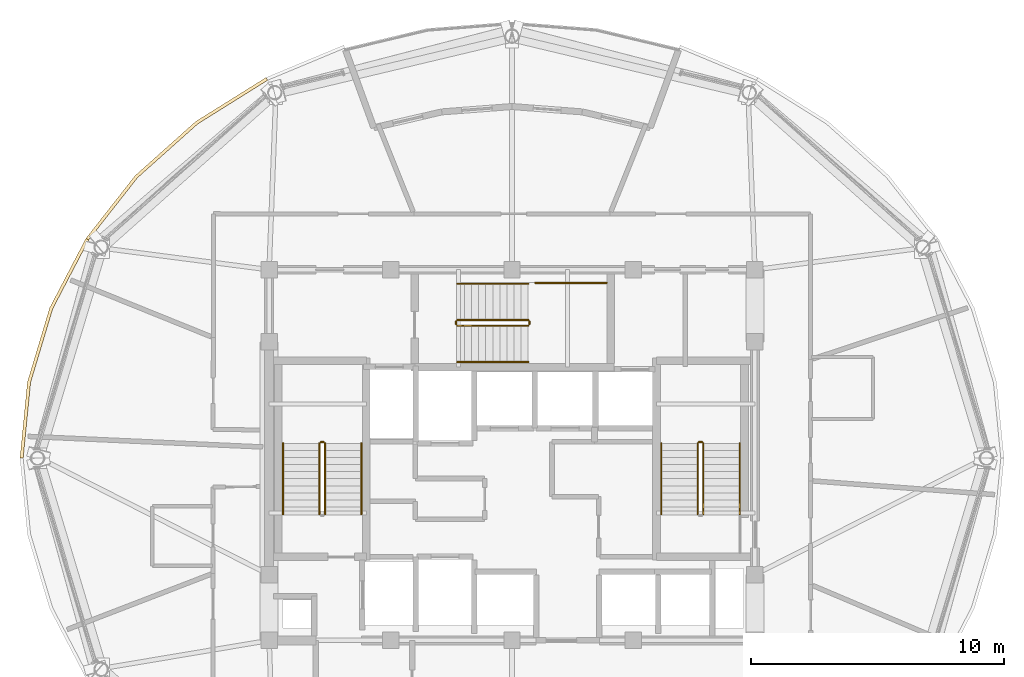
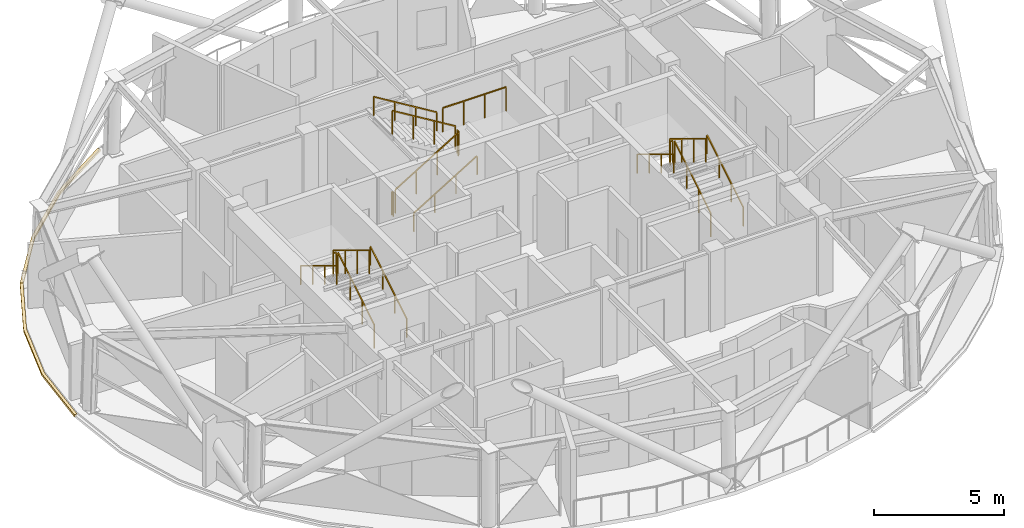
# One storey, part 12 of 13: 17 railings, 2 coverings.
"""IFC4 building model written with IfcOpenShell, lengths in metres."""

import ifcopenshell
import ifcopenshell.guid

model = None  # the IFC model being written
_history = None  # IfcOwnerHistory: only IFC2X3 demands one
_inside = {}  # id of a spatial element -> (the spatial element, [elements in it])
_under = {}  # id of a project, library or spatial element -> (it, [spatial elements below it])
_declared = {}  # id of a project -> (the project, [libraries it declares])
_typed = {}  # id of a type object -> (the type object, [elements of that type])
_made_of = {}  # id of a material, layer set ... -> (it, [elements and type objects made of it])


def new_model(schema):
    """Start an empty IFC model of exactly this schema.

    Asked for "IFC4X3", IfcOpenShell would pick the latest addendum, in which some entities
    have other attributes; the version numbers below select the first issue.
    IFC2X3 requires an IfcOwnerHistory on every rooted entity: one is made here for all.
    """
    global model, _history
    if schema == "IFC4X3":
        model = ifcopenshell.file(schema_version=(4, 3, 0, 0))
    else:
        model = ifcopenshell.file(schema=schema)
    _inside.clear()
    _under.clear()
    _declared.clear()
    _typed.clear()
    _made_of.clear()
    _history = None
    if model.schema == "IFC2X3":
        org = make("IfcOrganization", Name="unknown")
        user = make(
            "IfcPersonAndOrganization",
            ThePerson=make("IfcPerson", FamilyName="unknown"),
            TheOrganization=org,
        )
        app = make(
            "IfcApplication",
            ApplicationDeveloper=org,
            Version="unknown",
            ApplicationFullName="unknown",
            ApplicationIdentifier="unknown",
        )
        _history = make(
            "IfcOwnerHistory",
            OwningUser=user,
            OwningApplication=app,
            ChangeAction="ADDED",
            CreationDate=0,
        )
    return model


def make(cls, **values):
    """One entity of the class cls with the attributes given. An attribute that is None is left unset."""
    return model.create_entity(
        cls, **{name: value for name, value in values.items() if value is not None}
    )


def rooted(cls, **values):
    """An entity with a GlobalId (a new one), such as an element, a storey or a relation."""
    return make(cls, GlobalId=ifcopenshell.guid.new(), OwnerHistory=_history, **values)


def si_unit(unit_type, name, prefix=None):
    """IfcSIUnit, for example si_unit("LENGTHUNIT", "METRE", prefix="MILLI")."""
    return make("IfcSIUnit", UnitType=unit_type, Prefix=prefix, Name=name)


def assignment(units):
    """IfcUnitAssignment: the units of a project."""
    return None if units is None else make("IfcUnitAssignment", Units=units)


def point(xyz):
    """IfcCartesianPoint."""
    return None if xyz is None else make("IfcCartesianPoint", Coordinates=xyz)


def direction(xyz):
    """IfcDirection."""
    return None if xyz is None else make("IfcDirection", DirectionRatios=xyz)


def frame(location, z_axis=None, x_axis=None):
    """IfcAxis2Placement3D, a coordinate frame: its origin and axes. An axis left out is left unset."""
    return make(
        "IfcAxis2Placement3D",
        Location=point(location),
        Axis=direction(z_axis),
        RefDirection=direction(x_axis),
    )


def frame_2d(location, x_axis=None):
    """IfcAxis2Placement2D, a coordinate frame in the plane: its origin and x axis."""
    return make(
        "IfcAxis2Placement2D", Location=point(location), RefDirection=direction(x_axis)
    )


def origin():
    """The frame at (0, 0, 0) with its axes left unset."""
    return frame((0.0, 0.0, 0.0))


def origin_2d():
    """The frame at (0, 0) in the plane with its x axis left unset."""
    return frame_2d((0.0, 0.0))


def place(relative_to, where):
    """IfcLocalPlacement: puts the frame where relative to a parent placement (None: the world)."""
    return make(
        "IfcLocalPlacement", PlacementRelTo=relative_to, RelativePlacement=where
    )


def context(
    kind, dimensions, precision=None, world=None, true_north=None, identifier=None
):
    """IfcGeometricRepresentationContext, for example the 3D "Model" context."""
    return make(
        "IfcGeometricRepresentationContext",
        ContextIdentifier=identifier,
        ContextType=kind,
        CoordinateSpaceDimension=dimensions,
        Precision=precision,
        WorldCoordinateSystem=world,
        TrueNorth=true_north,
    )


def subcontext(parent, identifier, kind, view, scale=None):
    """IfcGeometricRepresentationSubContext, for example "Body" below "Model"."""
    return make(
        "IfcGeometricRepresentationSubContext",
        ContextIdentifier=identifier,
        ContextType=kind,
        ParentContext=parent,
        TargetScale=scale,
        TargetView=view,
    )


def project(units=None, contexts=None):
    """IfcProject with its units and contexts."""
    return rooted(
        "IfcProject",
        Name="project",
        RepresentationContexts=contexts,
        UnitsInContext=assignment(units),
    )


def spatial(cls, under=None, at=None, **own):
    """A site, building, storey or space (cls), placed at a placement, below another one or the project."""
    s = rooted(cls, ObjectPlacement=at, **own)
    if under is not None:
        _under.setdefault(under.id(), (under, []))[1].append(s)
    return s


def polyline(points):
    """IfcPolyline through the points."""
    return make("IfcPolyline", Points=[point(p) for p in points])


def profile(cls, at=None, kind="AREA", **sizes):
    """A parametric profile (cls). Its sizes go by their IFC names, for example OverallWidth=200.0."""
    return make(cls, ProfileType=kind, Position=at, **sizes)


def rectangle(**sizes):
    """IfcRectangleProfileDef."""
    return profile("IfcRectangleProfileDef", **sizes)


def outline(outer, holes=None, kind="AREA"):
    """IfcArbitraryClosedProfileDef: a profile drawn as a closed curve; with holes, ...WithVoids."""
    if holes is None:
        return make("IfcArbitraryClosedProfileDef", ProfileType=kind, OuterCurve=outer)
    return make(
        "IfcArbitraryProfileDefWithVoids",
        ProfileType=kind,
        OuterCurve=outer,
        InnerCurves=holes,
    )


def extrude(swept, where, along, depth):
    """IfcExtrudedAreaSolid: the profile swept, set in the frame where, extruded along a direction by depth."""
    return make(
        "IfcExtrudedAreaSolid",
        SweptArea=swept,
        Position=where,
        ExtrudedDirection=direction(along),
        Depth=depth,
    )


def shape(context_of_items, identifier, shape_type, items):
    """IfcShapeRepresentation: the items that make up one representation, for example the "Body"."""
    return make(
        "IfcShapeRepresentation",
        ContextOfItems=context_of_items,
        RepresentationIdentifier=identifier,
        RepresentationType=shape_type,
        Items=items,
    )


def material(Name=None, Category=None):
    """IfcMaterial."""
    return make("IfcMaterial", Name=Name, Category=Category)


def layer(
    of_material, thickness, ventilated=None, Name=None, Category=None, Priority=None
):
    """IfcMaterialLayer: one layer of a wall or slab, of a material (None: an air gap)."""
    return make(
        "IfcMaterialLayer",
        Material=of_material,
        LayerThickness=thickness,
        IsVentilated=ventilated,
        Name=Name,
        Category=Category,
        Priority=Priority,
    )


def layer_set(layers, Name=None):
    """IfcMaterialLayerSet."""
    return make("IfcMaterialLayerSet", MaterialLayers=layers, LayerSetName=Name)


def made_of(thing, what):
    """Note that an element or type object is made of a material, layer set ...; save() writes the relation."""
    if what is not None:
        _made_of.setdefault(what.id(), (what, []))[1].append(thing)
    return thing


def type_object(cls, material=None, **own):
    """A type object (cls), such as IfcWallType, which elements share."""
    return made_of(rooted(cls, **own), material)


def element(
    cls,
    number,
    at=None,
    inside=None,
    cuts=None,
    type_object=None,
    material=None,
    context=None,
    identifier="Body",
    shape_type=None,
    held_by="IfcProductDefinitionShape",
    body=None,
    shapes=None,
    **own,
):
    """One element of the class cls, such as IfcWall. Its Tag is "e" and its number.

    at: its placement. inside: the storey or other place that contains it. cuts: it is an
    opening in that element (IfcRelVoidsElement). A single representation is given by context,
    identifier, shape_type and body (its items); several are given by shapes. held_by: the class
    of the entity that holds the representations. save() writes the other relations.
    """
    e = rooted(cls, Tag="e%d" % number, ObjectPlacement=at, **own)
    if body is not None:
        shapes = [shape(context, identifier, shape_type, body)]
    if shapes is not None:
        e.Representation = make(held_by, Representations=shapes)
    if inside is not None:
        _inside.setdefault(inside.id(), (inside, []))[1].append(e)
    if cuts is not None:
        rooted(
            "IfcRelVoidsElement", RelatingBuildingElement=cuts, RelatedOpeningElement=e
        )
    if type_object is not None:
        _typed.setdefault(type_object.id(), (type_object, []))[1].append(e)
    return made_of(e, material)


def aggregate(whole, parts):
    """IfcRelAggregates: a whole, such as a stair, and the parts it consists of."""
    return rooted("IfcRelAggregates", RelatingObject=whole, RelatedObjects=parts)


def save(model, path):
    """Write the relations noted so far, then the file.

    IfcRelAggregates (storeys below a building ...), IfcRelContainedInSpatialStructure (elements
    in a storey), IfcRelDefinesByType, IfcRelAssociatesMaterial and IfcRelDeclares: one each for
    every whole, place, type object, material and project.
    """
    for whole, parts in _under.values():
        aggregate(whole, parts)
    for where, things in _inside.values():
        rooted(
            "IfcRelContainedInSpatialStructure",
            RelatedElements=things,
            RelatingStructure=where,
        )
    for kind, things in _typed.values():
        rooted("IfcRelDefinesByType", RelatedObjects=things, RelatingType=kind)
    for what, things in _made_of.values():
        rooted("IfcRelAssociatesMaterial", RelatedObjects=things, RelatingMaterial=what)
    for by, libraries in _declared.values():
        rooted("IfcRelDeclares", RelatingContext=by, RelatedDefinitions=libraries)
    model.write(path)


model = new_model("IFC4")

# Units and contexts
model_context = context("Model", 3, precision=1e-05, world=origin(), true_north=direction((0.0, 1.0)))
body_context = subcontext(model_context, "Body", "Model", "MODEL_VIEW")
ifc_project = project(units=[si_unit("LENGTHUNIT", "METRE"), si_unit("AREAUNIT", "SQUARE_METRE"), si_unit("VOLUMEUNIT", "CUBIC_METRE"), si_unit("PLANEANGLEUNIT", "RADIAN"), si_unit("MASSUNIT", "GRAM", prefix="KILO")], contexts=[model_context])

# Site, building, storey
site_placement = place(None, origin())
site = spatial("IfcSite", under=ifc_project, at=site_placement, CompositionType="ELEMENT")
building_placement = place(site_placement, origin())
building = spatial("IfcBuilding", under=site, at=building_placement, Name="Vantalir Tower", CompositionType="ELEMENT")
storey_placement = place(building_placement, frame((0.0, 0.0, 282.60009765625)))
storey = spatial("IfcBuildingStorey", under=building, at=storey_placement, Name="L71", CompositionType="ELEMENT", Elevation=282.60009765625)

# Coverings
ifc_material_1 = material(Name="Anodised champagne aluminium sill fascia", Category="aluminium")
ifc_layer = layer(ifc_material_1, 0.125)
ifc_layer_set = layer_set([ifc_layer], Name="Anodised champagne aluminium sill fascia")
covering_type = type_object("IfcCoveringType", Name="COV-SLAB-FASCIA-125", PredefinedType="CLADDING", material=ifc_layer_set)
covering_1_placement = place(storey_placement, frame((0.0, 0.0, -0.18017578125)))
element("IfcCovering", 1, at=covering_1_placement, inside=storey, type_object=covering_type, Name="L71 Perimeter Slab-Edge Sill Fascia 05", PredefinedType="CLADDING", context=body_context, shape_type="SweptSolid", body=[
    extrude(outline(polyline([(21.778076171875, 40.047119140625), (19.0009765625, 38.31005859375), (16.60400390625, 36.16796875), (14.659912109375, 33.68701171875), (14.76806640625, 33.625), (16.699951171875, 36.087890625), (19.0810546875, 38.214111328125), (21.840087890625, 39.93896484375), (21.778076171875, 40.047119140625)])), origin(), (0.0, 0.0, 1.0), 0.10498046875),
])
covering_2_placement = place(storey_placement, frame((0.0, 0.0, -0.18017578125)))
element("IfcCovering", 2, at=covering_2_placement, inside=storey, type_object=covering_type, Name="L71 Perimeter Slab-Edge Sill Fascia 06", PredefinedType="CLADDING", context=body_context, shape_type="SweptSolid", body=[
    extrude(outline(polyline([(14.659912109375, 33.68701171875), (13.22802734375, 30.943115234375), (12.35009765625, 28.01708984375), (12.054931640625, 25.0), (12.179931640625, 25.0), (12.47412109375, 27.9951171875), (13.344970703125, 30.89990234375), (14.76806640625, 33.625), (14.659912109375, 33.68701171875)])), origin(), (0.0, 0.0, 1.0), 0.10498046875),
])

# Railings
ifc_material_2 = material(Name="Anodised aluminium and stainless steel guard", Category="steel")
railing_type_1 = type_object("IfcRailingType", Name="RAL-GUARD-1120", PredefinedType="GUARDRAIL", material=ifc_material_2)
railing_1_placement = place(storey_placement, frame((24.110107421875, 22.7900390625, 0.17041015625)))
element("IfcRailing", 3, at=railing_1_placement, inside=storey, type_object=railing_type_1, Name="L71 ST1 stair guard 1", PredefinedType="GUARDRAIL", context=body_context, shape_type="SweptSolid", body=[
    extrude(rectangle(XDim=0.048095703125, YDim=0.048095703125, at=origin_2d()), frame((0.0, 0.0, 1.09619140625), z_axis=(0.0, 0.854169791009, 0.51999420009), x_axis=(-1.0, 0.0, 0.0)), (0.0, 0.0, 1.0), 3.278076171875),
    extrude(rectangle(XDim=0.0419921875, YDim=0.0419921875, at=origin_2d()), origin(), (0.0, 0.0, 1.0), 1.072021484375),
    extrude(rectangle(XDim=0.0419921875, YDim=0.0419921875, at=origin_2d()), frame((0.0, 0.933349609375, 0.568115234375)), (0.0, 0.0, 1.0), 1.072021484375),
    extrude(rectangle(XDim=0.0419921875, YDim=0.0419921875, at=origin_2d()), frame((0.0, 1.86669921875, 1.136474609375)), (0.0, 0.0, 1.0), 1.072021484375),
    extrude(rectangle(XDim=0.0419921875, YDim=0.0419921875, at=origin_2d()), frame((0.0, 2.800048828125, 1.70458984375)), (0.0, 0.0, 1.0), 1.072021484375),
])
railing_2_placement = place(storey_placement, frame((24.06005859375, 25.639892578125, 1.875)))
element("IfcRailing", 4, at=railing_2_placement, inside=storey, type_object=railing_type_1, Name="L71 ST1 stair guard 2", PredefinedType="GUARDRAIL", context=body_context, shape_type="SweptSolid", body=[
    extrude(rectangle(XDim=0.048095703125, YDim=0.048095703125, at=origin_2d()), frame((0.0, 0.0, 1.09619140625), z_axis=(-1.0, 0.0, 0.0), x_axis=(0.0, -1.0, 0.0)), (0.0, 0.0, 1.0), 0.1201171875),
    extrude(rectangle(XDim=0.0419921875, YDim=0.0419921875, at=origin_2d()), origin(), (0.0, 0.0, 1.0), 1.072021484375),
    extrude(rectangle(XDim=0.0419921875, YDim=0.0419921875, at=origin_2d()), frame((-0.1201171875, 0.0, 0.0)), (0.0, 0.0, 1.0), 1.072021484375),
])
railing_3_placement = place(storey_placement, frame((23.889892578125, 25.590087890625, 2.04541015625)))
element("IfcRailing", 5, at=railing_3_placement, inside=storey, type_object=railing_type_1, Name="L71 ST1 stair guard 3", PredefinedType="GUARDRAIL", context=body_context, shape_type="SweptSolid", body=[
    extrude(rectangle(XDim=0.048095703125, YDim=0.048095703125, at=origin_2d()), frame((0.0, 0.0, 1.09619140625), z_axis=(0.0, -0.854169791009, 0.51999420009), x_axis=(1.0, 0.0, 0.0)), (0.0, 0.0, 1.0), 3.278076171875),
    extrude(rectangle(XDim=0.0419921875, YDim=0.0419921875, at=origin_2d()), origin(), (0.0, 0.0, 1.0), 1.072021484375),
    extrude(rectangle(XDim=0.0419921875, YDim=0.0419921875, at=origin_2d()), frame((0.0, -0.933349609375, 0.568115234375)), (0.0, 0.0, 1.0), 1.072021484375),
    extrude(rectangle(XDim=0.0419921875, YDim=0.0419921875, at=origin_2d()), frame((0.0, -1.86669921875, 1.136474609375)), (0.0, 0.0, 1.0), 1.072021484375),
    extrude(rectangle(XDim=0.0419921875, YDim=0.0419921875, at=origin_2d()), frame((0.0, -2.800048828125, 1.70458984375)), (0.0, 0.0, 1.0), 1.072021484375),
])
railing_4_placement = place(storey_placement, frame((39.06005859375, 22.7900390625, 0.17041015625)))
element("IfcRailing", 6, at=railing_4_placement, inside=storey, type_object=railing_type_1, Name="L71 ST2 stair guard 1", PredefinedType="GUARDRAIL", context=body_context, shape_type="SweptSolid", body=[
    extrude(rectangle(XDim=0.048095703125, YDim=0.048095703125, at=origin_2d()), frame((0.0, 0.0, 1.09619140625), z_axis=(0.0, 0.854169791009, 0.51999420009), x_axis=(-1.0, 0.0, 0.0)), (0.0, 0.0, 1.0), 3.278076171875),
    extrude(rectangle(XDim=0.0419921875, YDim=0.0419921875, at=origin_2d()), origin(), (0.0, 0.0, 1.0), 1.072021484375),
    extrude(rectangle(XDim=0.0419921875, YDim=0.0419921875, at=origin_2d()), frame((0.0, 0.933349609375, 0.568115234375)), (0.0, 0.0, 1.0), 1.072021484375),
    extrude(rectangle(XDim=0.0419921875, YDim=0.0419921875, at=origin_2d()), frame((0.0, 1.86669921875, 1.136474609375)), (0.0, 0.0, 1.0), 1.072021484375),
    extrude(rectangle(XDim=0.0419921875, YDim=0.0419921875, at=origin_2d()), frame((0.0, 2.800048828125, 1.70458984375)), (0.0, 0.0, 1.0), 1.072021484375),
])
railing_5_placement = place(storey_placement, frame((39.010009765625, 25.639892578125, 1.875)))
element("IfcRailing", 7, at=railing_5_placement, inside=storey, type_object=railing_type_1, Name="L71 ST2 stair guard 2", PredefinedType="GUARDRAIL", context=body_context, shape_type="SweptSolid", body=[
    extrude(rectangle(XDim=0.048095703125, YDim=0.048095703125, at=origin_2d()), frame((0.0, 0.0, 1.09619140625), z_axis=(-1.0, 0.0, 0.0), x_axis=(0.0, -1.0, 0.0)), (0.0, 0.0, 1.0), 0.1201171875),
    extrude(rectangle(XDim=0.0419921875, YDim=0.0419921875, at=origin_2d()), origin(), (0.0, 0.0, 1.0), 1.072021484375),
    extrude(rectangle(XDim=0.0419921875, YDim=0.0419921875, at=origin_2d()), frame((-0.1201171875, 0.0, 0.0)), (0.0, 0.0, 1.0), 1.072021484375),
])
railing_6_placement = place(storey_placement, frame((38.840087890625, 25.590087890625, 2.04541015625)))
element("IfcRailing", 8, at=railing_6_placement, inside=storey, type_object=railing_type_1, Name="L71 ST2 stair guard 3", PredefinedType="GUARDRAIL", context=body_context, shape_type="SweptSolid", body=[
    extrude(rectangle(XDim=0.048095703125, YDim=0.048095703125, at=origin_2d()), frame((0.0, 0.0, 1.09619140625), z_axis=(0.0, -0.854169791009, 0.51999420009), x_axis=(1.0, 0.0, 0.0)), (0.0, 0.0, 1.0), 3.278076171875),
    extrude(rectangle(XDim=0.0419921875, YDim=0.0419921875, at=origin_2d()), origin(), (0.0, 0.0, 1.0), 1.072021484375),
    extrude(rectangle(XDim=0.0419921875, YDim=0.0419921875, at=origin_2d()), frame((0.0, -0.933349609375, 0.568115234375)), (0.0, 0.0, 1.0), 1.072021484375),
    extrude(rectangle(XDim=0.0419921875, YDim=0.0419921875, at=origin_2d()), frame((0.0, -1.86669921875, 1.136474609375)), (0.0, 0.0, 1.0), 1.072021484375),
    extrude(rectangle(XDim=0.0419921875, YDim=0.0419921875, at=origin_2d()), frame((0.0, -2.800048828125, 1.70458984375)), (0.0, 0.0, 1.0), 1.072021484375),
])
railing_7_placement = place(storey_placement, frame((29.340087890625, 30.239990234375, 0.17041015625)))
element("IfcRailing", 9, at=railing_7_placement, inside=storey, type_object=railing_type_1, Name="L71 ST3 stair guard 1", PredefinedType="GUARDRAIL", context=body_context, shape_type="SweptSolid", body=[
    extrude(rectangle(XDim=0.048095703125, YDim=0.048095703125, at=origin_2d()), frame((0.0, 0.0, 1.09619140625), z_axis=(0.854149651119, 0.0, 0.520027281489), x_axis=(0.0, 1.0, 0.0)), (0.0, 0.0, 1.0), 3.27783203125),
    extrude(rectangle(XDim=0.0419921875, YDim=0.0419921875, at=origin_2d()), origin(), (0.0, 0.0, 1.0), 1.072021484375),
    extrude(rectangle(XDim=0.0419921875, YDim=0.0419921875, at=origin_2d()), frame((0.933349609375, 0.0, 0.568115234375)), (0.0, 0.0, 1.0), 1.072021484375),
    extrude(rectangle(XDim=0.0419921875, YDim=0.0419921875, at=origin_2d()), frame((1.866455078125, 0.0, 1.136474609375)), (0.0, 0.0, 1.0), 1.072021484375),
    extrude(rectangle(XDim=0.0419921875, YDim=0.0419921875, at=origin_2d()), frame((2.7998046875, 0.0, 1.70458984375)), (0.0, 0.0, 1.0), 1.072021484375),
])
railing_8_placement = place(storey_placement, frame((32.18994140625, 30.2900390625, 1.875)))
element("IfcRailing", 10, at=railing_8_placement, inside=storey, type_object=railing_type_1, Name="L71 ST3 stair guard 2", PredefinedType="GUARDRAIL", context=body_context, shape_type="SweptSolid", body=[
    extrude(rectangle(XDim=0.048095703125, YDim=0.048095703125, at=origin_2d()), frame((0.0, 0.0, 1.09619140625), z_axis=(0.0, 1.0, 0.0), x_axis=(-1.0, 0.0, 0.0)), (0.0, 0.0, 1.0), 0.119873046875),
    extrude(rectangle(XDim=0.0419921875, YDim=0.0419921875, at=origin_2d()), origin(), (0.0, 0.0, 1.0), 1.072021484375),
    extrude(rectangle(XDim=0.0419921875, YDim=0.0419921875, at=origin_2d()), frame((0.0, 0.119873046875, 0.0)), (0.0, 0.0, 1.0), 1.072021484375),
])
railing_9_placement = place(storey_placement, frame((32.139892578125, 30.4599609375, 2.04541015625)))
element("IfcRailing", 11, at=railing_9_placement, inside=storey, type_object=railing_type_1, Name="L71 ST3 stair guard 3", PredefinedType="GUARDRAIL", context=body_context, shape_type="SweptSolid", body=[
    extrude(rectangle(XDim=0.048095703125, YDim=0.048095703125, at=origin_2d()), frame((0.0, 0.0, 1.09619140625), z_axis=(-0.854149651119, 0.0, 0.520027281489), x_axis=(0.0, -1.0, 0.0)), (0.0, 0.0, 1.0), 3.27783203125),
    extrude(rectangle(XDim=0.0419921875, YDim=0.0419921875, at=origin_2d()), origin(), (0.0, 0.0, 1.0), 1.072021484375),
    extrude(rectangle(XDim=0.0419921875, YDim=0.0419921875, at=origin_2d()), frame((-0.933349609375, 0.0, 0.568115234375)), (0.0, 0.0, 1.0), 1.072021484375),
    extrude(rectangle(XDim=0.0419921875, YDim=0.0419921875, at=origin_2d()), frame((-1.866455078125, 0.0, 1.136474609375)), (0.0, 0.0, 1.0), 1.072021484375),
    extrude(rectangle(XDim=0.0419921875, YDim=0.0419921875, at=origin_2d()), frame((-2.7998046875, 0.0, 1.70458984375)), (0.0, 0.0, 1.0), 1.072021484375),
])
railing_10_placement = place(storey_placement, frame((29.2900390625, 30.2900390625, 0.0)))
element("IfcRailing", 12, at=railing_10_placement, inside=storey, type_object=railing_type_1, Name="L71 ST3 stair guard 4", PredefinedType="GUARDRAIL", context=body_context, shape_type="SweptSolid", body=[
    extrude(rectangle(XDim=0.048095703125, YDim=0.048095703125, at=origin_2d()), frame((0.0, 0.0, 1.09619140625), z_axis=(0.0, 1.0, 0.0), x_axis=(-1.0, 0.0, 0.0)), (0.0, 0.0, 1.0), 0.119873046875),
    extrude(rectangle(XDim=0.0419921875, YDim=0.0419921875, at=origin_2d()), origin(), (0.0, 0.0, 1.0), 1.072021484375),
    extrude(rectangle(XDim=0.0419921875, YDim=0.0419921875, at=origin_2d()), frame((0.0, 0.119873046875, 0.0)), (0.0, 0.0, 1.0), 1.072021484375),
])
railing_11_placement = place(storey_placement, frame((32.419921875, 31.929931640625, 1.875)))
element("IfcRailing", 13, at=railing_11_placement, inside=storey, type_object=railing_type_1, Name="L71 Stair ST3 Half-Landing Slot Guard", PredefinedType="GUARDRAIL", context=body_context, shape_type="SweptSolid", body=[
    extrude(rectangle(XDim=0.048095703125, YDim=0.048095703125, at=origin_2d()), frame((0.0, 0.0, 1.1259765625), z_axis=(1.0, 0.0, 0.0), x_axis=(0.0, 1.0, 0.0)), (0.0, 0.0, 1.0), 2.820068359375),
    extrude(rectangle(XDim=0.0419921875, YDim=0.0419921875, at=origin_2d()), origin(), (0.0, 0.0, 1.0), 1.101806640625),
    extrude(rectangle(XDim=0.0419921875, YDim=0.0419921875, at=origin_2d()), frame((0.93994140625, 0.0, 0.0)), (0.0, 0.0, 1.0), 1.101806640625),
    extrude(rectangle(XDim=0.0419921875, YDim=0.0419921875, at=origin_2d()), frame((1.880126953125, 0.0, 0.0)), (0.0, 0.0, 1.0), 1.101806640625),
    extrude(rectangle(XDim=0.0419921875, YDim=0.0419921875, at=origin_2d()), frame((2.820068359375, 0.0, 0.0)), (0.0, 0.0, 1.0), 1.101806640625),
])
ifc_material_3 = material(Name="Brushed stainless steel tubular handrail", Category="steel")
railing_type_2 = type_object("IfcRailingType", Name="RAL-HANDRAIL-900", PredefinedType="HANDRAIL", material=ifc_material_3)
railing_12_placement = place(storey_placement, frame((25.550048828125, 22.7900390625, 0.17041015625)))
element("IfcRailing", 14, at=railing_12_placement, inside=storey, type_object=railing_type_2, Name="L71 ST1 stair handrail 1", PredefinedType="HANDRAIL", context=body_context, shape_type="SweptSolid", body=[
    extrude(rectangle(XDim=0.048095703125, YDim=0.048095703125, at=origin_2d()), frame((0.0, 0.0, 0.8759765625), z_axis=(0.0, 0.854169791009, 0.51999420009), x_axis=(-1.0, 0.0, 0.0)), (0.0, 0.0, 1.0), 3.278076171875),
    extrude(rectangle(XDim=0.0419921875, YDim=0.0419921875, at=origin_2d()), origin(), (0.0, 0.0, 1.0), 0.851806640625),
    extrude(rectangle(XDim=0.0419921875, YDim=0.0419921875, at=origin_2d()), frame((0.0, 0.933349609375, 0.568115234375)), (0.0, 0.0, 1.0), 0.851806640625),
    extrude(rectangle(XDim=0.0419921875, YDim=0.0419921875, at=origin_2d()), frame((0.0, 1.86669921875, 1.136474609375)), (0.0, 0.0, 1.0), 0.851806640625),
    extrude(rectangle(XDim=0.0419921875, YDim=0.0419921875, at=origin_2d()), frame((0.0, 2.800048828125, 1.70458984375)), (0.0, 0.0, 1.0), 0.851806640625),
])
railing_13_placement = place(storey_placement, frame((22.449951171875, 25.590087890625, 2.04541015625)))
element("IfcRailing", 15, at=railing_13_placement, inside=storey, type_object=railing_type_2, Name="L71 ST1 stair handrail 2", PredefinedType="HANDRAIL", context=body_context, shape_type="SweptSolid", body=[
    extrude(rectangle(XDim=0.048095703125, YDim=0.048095703125, at=origin_2d()), frame((0.0, 0.0, 0.8759765625), z_axis=(0.0, -0.854169791009, 0.51999420009), x_axis=(1.0, 0.0, 0.0)), (0.0, 0.0, 1.0), 3.278076171875),
    extrude(rectangle(XDim=0.0419921875, YDim=0.0419921875, at=origin_2d()), origin(), (0.0, 0.0, 1.0), 0.851806640625),
    extrude(rectangle(XDim=0.0419921875, YDim=0.0419921875, at=origin_2d()), frame((0.0, -0.933349609375, 0.568115234375)), (0.0, 0.0, 1.0), 0.851806640625),
    extrude(rectangle(XDim=0.0419921875, YDim=0.0419921875, at=origin_2d()), frame((0.0, -1.86669921875, 1.136474609375)), (0.0, 0.0, 1.0), 0.851806640625),
    extrude(rectangle(XDim=0.0419921875, YDim=0.0419921875, at=origin_2d()), frame((0.0, -2.800048828125, 1.70458984375)), (0.0, 0.0, 1.0), 0.851806640625),
])
railing_14_placement = place(storey_placement, frame((40.5, 22.7900390625, 0.17041015625)))
element("IfcRailing", 16, at=railing_14_placement, inside=storey, type_object=railing_type_2, Name="L71 ST2 stair handrail 1", PredefinedType="HANDRAIL", context=body_context, shape_type="SweptSolid", body=[
    extrude(rectangle(XDim=0.048095703125, YDim=0.048095703125, at=origin_2d()), frame((0.0, 0.0, 0.8759765625), z_axis=(0.0, 0.854169791009, 0.51999420009), x_axis=(-1.0, 0.0, 0.0)), (0.0, 0.0, 1.0), 3.278076171875),
    extrude(rectangle(XDim=0.0419921875, YDim=0.0419921875, at=origin_2d()), origin(), (0.0, 0.0, 1.0), 0.851806640625),
    extrude(rectangle(XDim=0.0419921875, YDim=0.0419921875, at=origin_2d()), frame((0.0, 0.933349609375, 0.568115234375)), (0.0, 0.0, 1.0), 0.851806640625),
    extrude(rectangle(XDim=0.0419921875, YDim=0.0419921875, at=origin_2d()), frame((0.0, 1.86669921875, 1.136474609375)), (0.0, 0.0, 1.0), 0.851806640625),
    extrude(rectangle(XDim=0.0419921875, YDim=0.0419921875, at=origin_2d()), frame((0.0, 2.800048828125, 1.70458984375)), (0.0, 0.0, 1.0), 0.851806640625),
])
railing_15_placement = place(storey_placement, frame((37.39990234375, 25.590087890625, 2.04541015625)))
element("IfcRailing", 17, at=railing_15_placement, inside=storey, type_object=railing_type_2, Name="L71 ST2 stair handrail 2", PredefinedType="HANDRAIL", context=body_context, shape_type="SweptSolid", body=[
    extrude(rectangle(XDim=0.048095703125, YDim=0.048095703125, at=origin_2d()), frame((0.0, 0.0, 0.8759765625), z_axis=(0.0, -0.854169791009, 0.51999420009), x_axis=(1.0, 0.0, 0.0)), (0.0, 0.0, 1.0), 3.278076171875),
    extrude(rectangle(XDim=0.0419921875, YDim=0.0419921875, at=origin_2d()), origin(), (0.0, 0.0, 1.0), 0.851806640625),
    extrude(rectangle(XDim=0.0419921875, YDim=0.0419921875, at=origin_2d()), frame((0.0, -0.933349609375, 0.568115234375)), (0.0, 0.0, 1.0), 0.851806640625),
    extrude(rectangle(XDim=0.0419921875, YDim=0.0419921875, at=origin_2d()), frame((0.0, -1.86669921875, 1.136474609375)), (0.0, 0.0, 1.0), 0.851806640625),
    extrude(rectangle(XDim=0.0419921875, YDim=0.0419921875, at=origin_2d()), frame((0.0, -2.800048828125, 1.70458984375)), (0.0, 0.0, 1.0), 0.851806640625),
])
railing_16_placement = place(storey_placement, frame((29.340087890625, 28.800048828125, 0.17041015625)))
element("IfcRailing", 18, at=railing_16_placement, inside=storey, type_object=railing_type_2, Name="L71 ST3 stair handrail 1", PredefinedType="HANDRAIL", context=body_context, shape_type="SweptSolid", body=[
    extrude(rectangle(XDim=0.048095703125, YDim=0.048095703125, at=origin_2d()), frame((0.0, 0.0, 0.8759765625), z_axis=(0.854149651119, 0.0, 0.520027281489), x_axis=(0.0, 1.0, 0.0)), (0.0, 0.0, 1.0), 3.27783203125),
    extrude(rectangle(XDim=0.0419921875, YDim=0.0419921875, at=origin_2d()), origin(), (0.0, 0.0, 1.0), 0.851806640625),
    extrude(rectangle(XDim=0.0419921875, YDim=0.0419921875, at=origin_2d()), frame((0.933349609375, 0.0, 0.568115234375)), (0.0, 0.0, 1.0), 0.851806640625),
    extrude(rectangle(XDim=0.0419921875, YDim=0.0419921875, at=origin_2d()), frame((1.866455078125, 0.0, 1.136474609375)), (0.0, 0.0, 1.0), 0.851806640625),
    extrude(rectangle(XDim=0.0419921875, YDim=0.0419921875, at=origin_2d()), frame((2.7998046875, 0.0, 1.70458984375)), (0.0, 0.0, 1.0), 0.851806640625),
])
railing_17_placement = place(storey_placement, frame((32.139892578125, 31.89990234375, 2.04541015625)))
element("IfcRailing", 19, at=railing_17_placement, inside=storey, type_object=railing_type_2, Name="L71 ST3 stair handrail 2", PredefinedType="HANDRAIL", context=body_context, shape_type="SweptSolid", body=[
    extrude(rectangle(XDim=0.048095703125, YDim=0.048095703125, at=origin_2d()), frame((0.0, 0.0, 0.8759765625), z_axis=(-0.854149651119, 0.0, 0.520027281489), x_axis=(0.0, -1.0, 0.0)), (0.0, 0.0, 1.0), 3.27783203125),
    extrude(rectangle(XDim=0.0419921875, YDim=0.0419921875, at=origin_2d()), origin(), (0.0, 0.0, 1.0), 0.851806640625),
    extrude(rectangle(XDim=0.0419921875, YDim=0.0419921875, at=origin_2d()), frame((-0.933349609375, 0.0, 0.568115234375)), (0.0, 0.0, 1.0), 0.851806640625),
    extrude(rectangle(XDim=0.0419921875, YDim=0.0419921875, at=origin_2d()), frame((-1.866455078125, 0.0, 1.136474609375)), (0.0, 0.0, 1.0), 0.851806640625),
    extrude(rectangle(XDim=0.0419921875, YDim=0.0419921875, at=origin_2d()), frame((-2.7998046875, 0.0, 1.70458984375)), (0.0, 0.0, 1.0), 0.851806640625),
])

save(model, "model.ifc")
